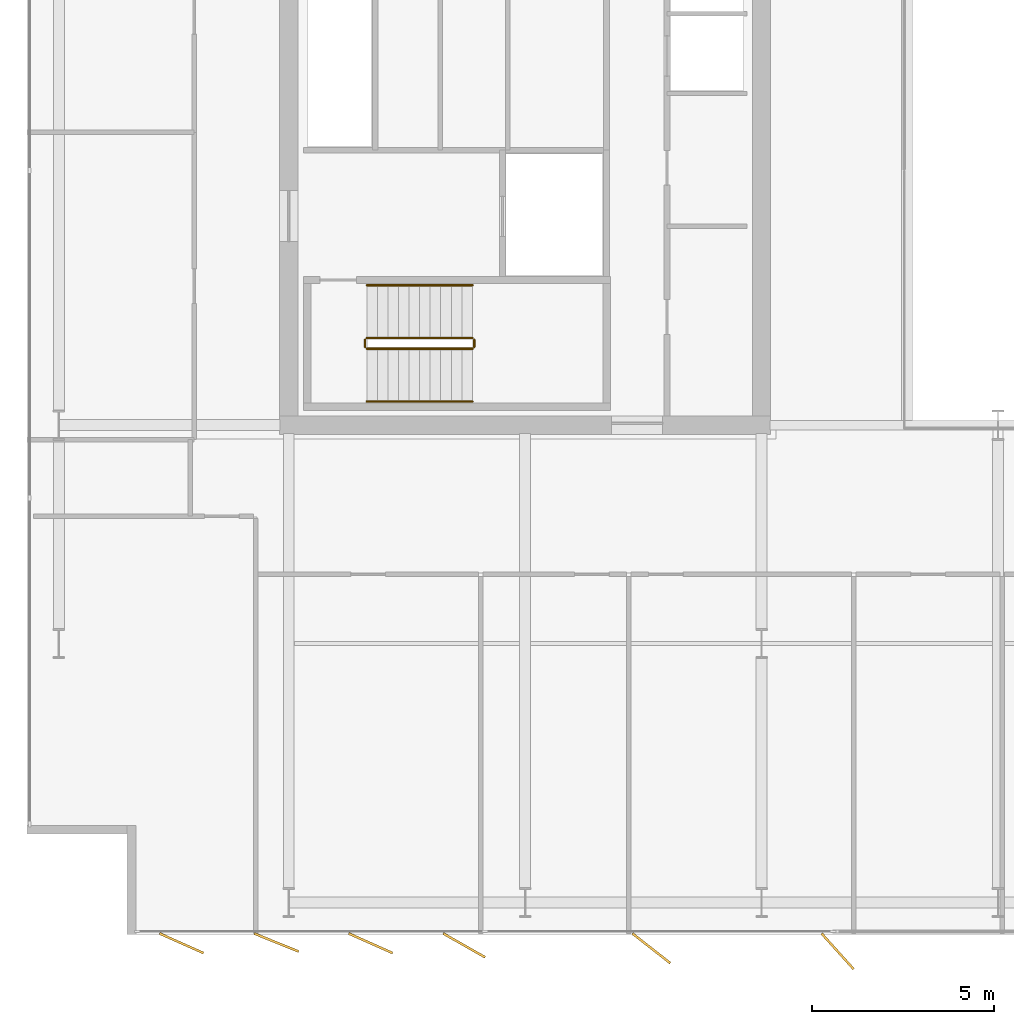
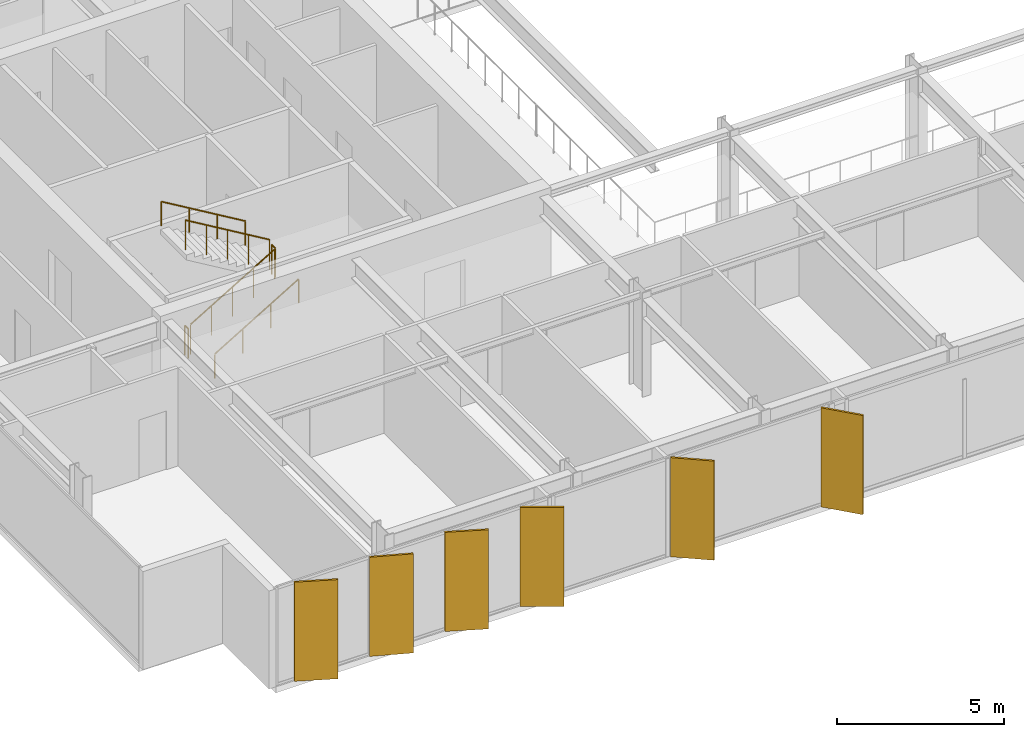
# One storey, part 20 of 23: 6 railings, 6 shading devices.
"""IFC4 building model written with IfcOpenShell, lengths in metres."""

from ifc_helpers import new_model, si_unit, direction, frame, origin, origin_2d, place, context, subcontext, project, spatial, rectangle, circle, extrude, material, layer, layer_set, type_object, element, save


model = new_model("IFC4")

# Units and contexts
model_context = context("Model", 3, precision=1e-05, world=origin(), true_north=direction((0.0, 1.0)))
body_context = subcontext(model_context, "Body", "Model", "MODEL_VIEW")
ifc_project = project(units=[si_unit("LENGTHUNIT", "METRE"), si_unit("AREAUNIT", "SQUARE_METRE"), si_unit("VOLUMEUNIT", "CUBIC_METRE"), si_unit("PLANEANGLEUNIT", "RADIAN"), si_unit("MASSUNIT", "GRAM", prefix="KILO")], contexts=[model_context])

# Site, building, storey
site_placement = place(None, origin())
site = spatial("IfcSite", under=ifc_project, at=site_placement, CompositionType="ELEMENT")
building_placement = place(site_placement, origin())
building = spatial("IfcBuilding", under=site, at=building_placement, Name="Putna Gate Headquarters", CompositionType="ELEMENT")
storey_placement = place(building_placement, frame((0.0, 0.0, 213.800048828125)))
storey = spatial("IfcBuildingStorey", under=building, at=storey_placement, Name="L53", CompositionType="ELEMENT", Elevation=213.800048828125)

# Railings
ifc_material_1 = material(Name="Powder-coated steel stair guardrail", Category="steel")
railing_type_1 = type_object("IfcRailingType", Name="RAIL-STAIR-GUARD-1100", PredefinedType="GUARDRAIL", material=ifc_material_1)
railing_1_placement = place(storey_placement, frame((15.14990234375, 21.10009765625, 0.172607421875)))
element("IfcRailing", 1, at=railing_1_placement, inside=storey, type_object=railing_type_1, Name="L53 ST1 stair guard 1", PredefinedType="GUARDRAIL", context=body_context, shape_type="SweptSolid", body=[
    extrude(circle(Radius=0.02392578125, at=origin_2d()), frame((0.0, 0.0, 1.076171875), z_axis=(0.859160404282, 0.0, 0.51170636083), x_axis=(0.0, 1.0, 0.0)), (0.0, 0.0, 1.0), 3.37548828125),
    extrude(circle(Radius=0.02099609375, at=origin_2d()), origin(), (0.0, 0.0, 1.0), 1.052001953125),
    extrude(circle(Radius=0.02099609375, at=origin_2d()), frame((0.72509765625, 0.0, 0.431884765625)), (0.0, 0.0, 1.0), 1.052001953125),
    extrude(circle(Radius=0.02099609375, at=origin_2d()), frame((1.4501953125, 0.0, 0.86376953125)), (0.0, 0.0, 1.0), 1.052001953125),
    extrude(circle(Radius=0.02099609375, at=origin_2d()), frame((2.175048828125, 0.0, 1.29541015625)), (0.0, 0.0, 1.0), 1.052001953125),
    extrude(circle(Radius=0.02099609375, at=origin_2d()), frame((2.900146484375, 0.0, 1.727294921875)), (0.0, 0.0, 1.0), 1.052001953125),
])
railing_2_placement = place(storey_placement, frame((18.10009765625, 21.14990234375, 1.89990234375)))
element("IfcRailing", 2, at=railing_2_placement, inside=storey, type_object=railing_type_1, Name="L53 ST1 stair guard 2", PredefinedType="GUARDRAIL", context=body_context, shape_type="SweptSolid", body=[
    extrude(circle(Radius=0.02392578125, at=origin_2d()), frame((0.0, 0.0, 1.076171875), z_axis=(0.0, 1.0, 0.0), x_axis=(-1.0, 0.0, 0.0)), (0.0, 0.0, 1.0), 0.2001953125),
    extrude(circle(Radius=0.02099609375, at=origin_2d()), origin(), (0.0, 0.0, 1.0), 1.052001953125),
    extrude(circle(Radius=0.02099609375, at=origin_2d()), frame((0.0, 0.2001953125, 0.0)), (0.0, 0.0, 1.0), 1.052001953125),
])
railing_3_placement = place(storey_placement, frame((18.050048828125, 21.39990234375, 2.07275390625)))
element("IfcRailing", 3, at=railing_3_placement, inside=storey, type_object=railing_type_1, Name="L53 ST1 stair guard 3", PredefinedType="GUARDRAIL", context=body_context, shape_type="SweptSolid", body=[
    extrude(circle(Radius=0.02392578125, at=origin_2d()), frame((0.0, 0.0, 1.076171875), z_axis=(-0.859160404282, 0.0, 0.51170636083), x_axis=(0.0, -1.0, 0.0)), (0.0, 0.0, 1.0), 3.37548828125),
    extrude(circle(Radius=0.02099609375, at=origin_2d()), origin(), (0.0, 0.0, 1.0), 1.052001953125),
    extrude(circle(Radius=0.02099609375, at=origin_2d()), frame((-0.72509765625, 0.0, 0.431884765625)), (0.0, 0.0, 1.0), 1.052001953125),
    extrude(circle(Radius=0.02099609375, at=origin_2d()), frame((-1.4501953125, 0.0, 0.86376953125)), (0.0, 0.0, 1.0), 1.052001953125),
    extrude(circle(Radius=0.02099609375, at=origin_2d()), frame((-2.175048828125, 0.0, 1.29541015625)), (0.0, 0.0, 1.0), 1.052001953125),
    extrude(circle(Radius=0.02099609375, at=origin_2d()), frame((-2.900146484375, 0.0, 1.727294921875)), (0.0, 0.0, 1.0), 1.052001953125),
])
railing_4_placement = place(storey_placement, frame((15.10009765625, 21.14990234375, 0.0)))
element("IfcRailing", 4, at=railing_4_placement, inside=storey, type_object=railing_type_1, Name="L53 ST1 stair guard 4", PredefinedType="GUARDRAIL", context=body_context, shape_type="SweptSolid", body=[
    extrude(circle(Radius=0.02392578125, at=origin_2d()), frame((0.0, 0.0, 1.076171875), z_axis=(0.0, 1.0, 0.0), x_axis=(-1.0, 0.0, 0.0)), (0.0, 0.0, 1.0), 0.2001953125),
    extrude(circle(Radius=0.02099609375, at=origin_2d()), origin(), (0.0, 0.0, 1.0), 1.052001953125),
    extrude(circle(Radius=0.02099609375, at=origin_2d()), frame((0.0, 0.2001953125, 0.0)), (0.0, 0.0, 1.0), 1.052001953125),
])
ifc_material_2 = material(Name="Brushed stainless steel handrail", Category="steel")
railing_type_2 = type_object("IfcRailingType", Name="RAIL-STAIR-HAND-900", PredefinedType="HANDRAIL", material=ifc_material_2)
railing_5_placement = place(storey_placement, frame((15.14990234375, 19.64990234375, 0.172607421875)))
element("IfcRailing", 5, at=railing_5_placement, inside=storey, type_object=railing_type_2, Name="L53 ST1 stair handrail 1", PredefinedType="HANDRAIL", context=body_context, shape_type="SweptSolid", body=[
    extrude(circle(Radius=0.02392578125, at=origin_2d()), frame((0.0, 0.0, 0.8759765625), z_axis=(0.859160404282, 0.0, 0.51170636083), x_axis=(0.0, 1.0, 0.0)), (0.0, 0.0, 1.0), 3.37548828125),
    extrude(circle(Radius=0.02099609375, at=origin_2d()), origin(), (0.0, 0.0, 1.0), 0.851806640625),
    extrude(circle(Radius=0.02099609375, at=origin_2d()), frame((0.966796875, 0.0, 0.57568359375)), (0.0, 0.0, 1.0), 0.851806640625),
    extrude(circle(Radius=0.02099609375, at=origin_2d()), frame((1.933349609375, 0.0, 1.151611328125)), (0.0, 0.0, 1.0), 0.851806640625),
    extrude(circle(Radius=0.02099609375, at=origin_2d()), frame((2.900146484375, 0.0, 1.727294921875)), (0.0, 0.0, 1.0), 0.851806640625),
])
railing_6_placement = place(storey_placement, frame((18.050048828125, 22.85009765625, 2.07275390625)))
element("IfcRailing", 6, at=railing_6_placement, inside=storey, type_object=railing_type_2, Name="L53 ST1 stair handrail 2", PredefinedType="HANDRAIL", context=body_context, shape_type="SweptSolid", body=[
    extrude(circle(Radius=0.02392578125, at=origin_2d()), frame((0.0, 0.0, 0.8759765625), z_axis=(-0.859160404282, 0.0, 0.51170636083), x_axis=(0.0, -1.0, 0.0)), (0.0, 0.0, 1.0), 3.37548828125),
    extrude(circle(Radius=0.02099609375, at=origin_2d()), origin(), (0.0, 0.0, 1.0), 0.851806640625),
    extrude(circle(Radius=0.02099609375, at=origin_2d()), frame((-0.966796875, 0.0, 0.57568359375)), (0.0, 0.0, 1.0), 0.851806640625),
    extrude(circle(Radius=0.02099609375, at=origin_2d()), frame((-1.933349609375, 0.0, 1.151611328125)), (0.0, 0.0, 1.0), 0.851806640625),
    extrude(circle(Radius=0.02099609375, at=origin_2d()), frame((-2.900146484375, 0.0, 1.727294921875)), (0.0, 0.0, 1.0), 0.851806640625),
])

# Shading devices
ifc_material_3 = material(Name="Anodised architectural bronze aluminium fin", Category="aluminium")
ifc_layer = layer(ifc_material_3, 0.06494140625)
ifc_layer_set = layer_set([ifc_layer], Name="Anodised architectural bronze aluminium fin")
shading_device_type = type_object("IfcShadingDeviceType", Name="SHADE-BRONZE-FIN-1320", PredefinedType="USERDEFINED", material=ifc_layer_set)
for number, where, z_axis, x_axis, name in (
    (7, (10.052978515625, 4.7568359375, -0.02001953125), (0.0, 0.0, 1.0), (0.913687379856, -0.40641773078, 0.0), "L53 Bronze Vertical Shading Fin S1"),
    (8, (12.661865234375, 4.77783203125, -0.02001953125), (0.0, 0.0, 1.0), (0.927183854567, -0.374606593416, 0.0), "L53 Bronze Vertical Shading Fin S2"),
    (9, (15.2529296875, 4.7568359375, -0.02001953125), (0.0, 0.0, 1.0), (0.913687379856, -0.40641773078, 0.0), "L53 Bronze Vertical Shading Fin S3"),
    (10, (17.82373046875, 4.69873046875, -0.02001953125), (0.0, 0.0, 1.0), (0.869322458298, -0.494245347472, 0.0), "L53 Bronze Vertical Shading Fin S4"),
    (11, (22.9697265625, 4.6181640625, -0.02001953125), (0.0, 0.0, 1.0), (0.787473187632, -0.616348909921, 0.0), "L53 Bronze Vertical Shading Fin S5"),
    (12, (28.091552734375, 4.534423828125, -0.02001953125), (0.0, 0.0, 1.0), (0.669130606359, -0.743144825477, 0.0), "L53 Bronze Vertical Shading Fin S6"),
):
    element("IfcShadingDevice", number, at=place(storey_placement, frame(where, z_axis=z_axis, x_axis=x_axis)), inside=storey, type_object=shading_device_type, Name=name, ObjectType="FIN", PredefinedType="USERDEFINED", context=body_context, shape_type="SweptSolid", body=[
        extrude(rectangle(XDim=1.320068359375, YDim=0.06494140625, at=origin_2d()), origin(), (0.0, 0.0, 1.0), 3.6201171875),
    ])

save(model, "model.ifc")
